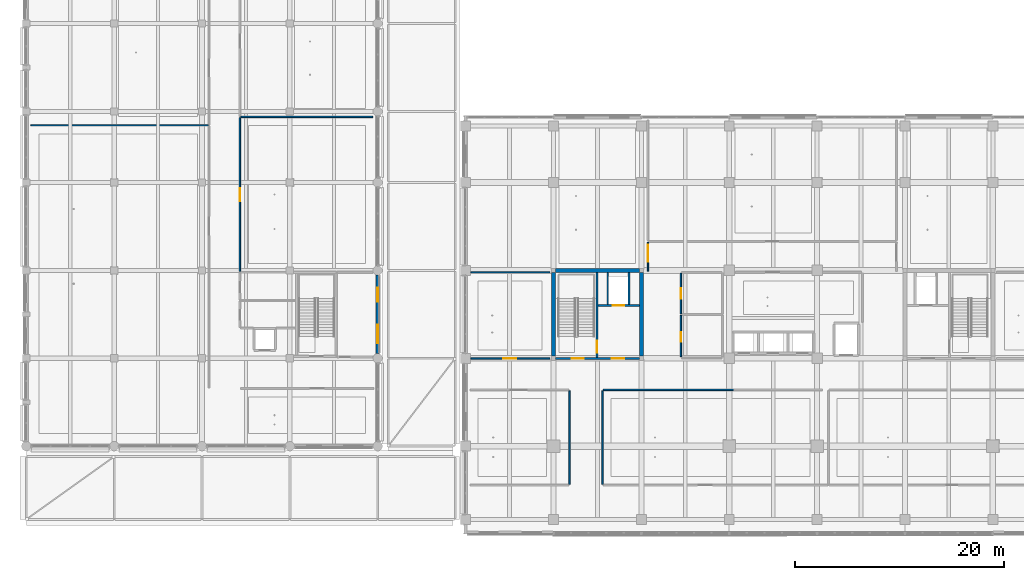
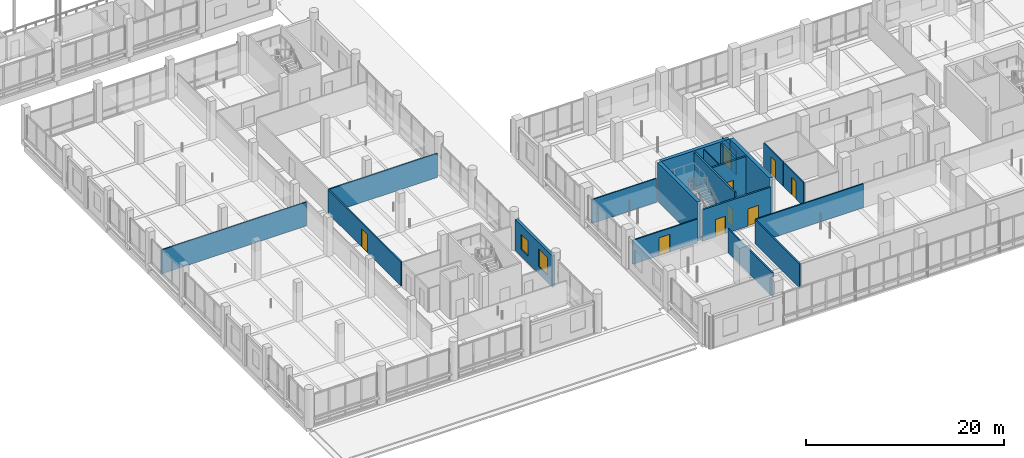
# One storey, part 53 of 128: 20 walls, 9 doors, 2 windows, 11 openings.
"""IFC4 building model written with IfcOpenShell, lengths in metres."""

from ifc_helpers import new_model, si_unit, direction, frame, frame_2d, origin, place, context, subcontext, project, spatial, rectangle, extrude, material, layer, layer_set, type_object, element, fill, save


model = new_model("IFC4")

# Units and contexts
model_context = context("Model", 3, precision=1e-05, world=origin(), true_north=direction((0.0, 1.0)))
body_context = subcontext(model_context, "Body", "Model", "MODEL_VIEW")
ifc_project = project(units=[si_unit("LENGTHUNIT", "METRE"), si_unit("AREAUNIT", "SQUARE_METRE"), si_unit("VOLUMEUNIT", "CUBIC_METRE"), si_unit("PLANEANGLEUNIT", "RADIAN"), si_unit("MASSUNIT", "GRAM", prefix="KILO")], contexts=[model_context])

# Site, building, storey
site_placement = place(None, origin())
site = spatial("IfcSite", under=ifc_project, at=site_placement, CompositionType="ELEMENT")
building_placement = place(site_placement, origin())
building = spatial("IfcBuilding", under=site, at=building_placement, Name="Telukmera Botanical Conservatory", CompositionType="ELEMENT")
storey_placement = place(building_placement, frame((0.0, 0.0, 5.39990234375)))
storey = spatial("IfcBuildingStorey", under=building, at=storey_placement, Name="L01", CompositionType="ELEMENT", Elevation=5.39990234375)

# Wall, openings, windows
ifc_material_1 = material(Name="Terracotta-faced precast concrete C40/50", Category="masonry")
ifc_layer_1 = layer(ifc_material_1, 0.300048828125)
ifc_layer_set_1 = layer_set([ifc_layer_1], Name="Terracotta-faced precast concrete C40/50")
wall_type_1 = type_object("IfcWallType", Name="Exterior Polychrome Terracotta Precast Wall 300", PredefinedType="SOLIDWALL", material=ifc_layer_set_1)
wall_1_placement = place(storey_placement, frame((42.0, 26.451904296875, 0.0), z_axis=(0.0, 0.0, 1.0), x_axis=(0.0, 1.0, 0.0)))
wall_1 = element("IfcWall", 1, at=wall_1_placement, inside=storey, type_object=wall_type_1, Name="Exterior Precast Wall EW02 V3:L01:E2", PredefinedType="SOLIDWALL", context=body_context, shape_type="SweptSolid", body=[
    extrude(rectangle(XDim=7.49609375, YDim=0.300048828125, at=frame_2d((3.748046875, 0.0))), origin(), (0.0, 0.0, 1.0), 3.85009765625),
])
opening_1_placement = place(wall_1_placement, frame((0.9990234375, 0.0, 0.89990234375)))
opening_1 = element("IfcOpeningElement", 2, at=opening_1_placement, cuts=wall_1, Name="Opening W08", PredefinedType="OPENING", context=body_context, shape_type="SweptSolid", body=[
    extrude(rectangle(XDim=1.75, YDim=2.199951171875, at=frame_2d((0.875, 1.10009765625))), frame((0.0, 0.159912109375, 0.0), z_axis=(0.0, -1.0, 0.0), x_axis=(1.0, 0.0, 0.0)), (0.0, 0.0, 1.0), 0.320068359375),
])
opening_2_placement = place(wall_1_placement, frame((4.947021484375, 0.0, 0.89990234375)))
opening_2 = element("IfcOpeningElement", 3, at=opening_2_placement, cuts=wall_1, Name="Opening W05", PredefinedType="OPENING", context=body_context, shape_type="SweptSolid", body=[
    extrude(rectangle(XDim=1.35009765625, YDim=1.85009765625, at=frame_2d((0.675048828125, 0.925048828125))), frame((0.0, 0.159912109375, 0.0), z_axis=(0.0, -1.0, 0.0), x_axis=(1.0, 0.0, 0.0)), (0.0, 0.0, 1.0), 0.320068359375),
])
ifc_material_2 = material(Name="Thermally broken anodised aluminium frame with low-E double glazing", Category="aluminium")
window_type_1 = type_object("IfcWindowType", Name="Double Vertical Casement Classroom Window 1350x1850", PartitioningType="DOUBLE_PANEL_VERTICAL", PredefinedType="WINDOW", material=ifc_material_2)
window_1_placement = place(opening_2_placement, origin())
window_1 = element("IfcWindow", 4, at=window_1_placement, inside=storey, type_object=window_type_1, Name="Facade Window W05 V3:L01:E2 2", OverallHeight=1.85009765625, OverallWidth=1.35009765625, PartitioningType="DOUBLE_PANEL_VERTICAL", PredefinedType="WINDOW", context=body_context, shape_type="SweptSolid", body=[
    extrude(rectangle(XDim=1.35009765625, YDim=1.85009765625, at=frame_2d((0.675048828125, 0.925048828125))), frame((0.0, 0.030029296875, 0.0), z_axis=(0.0, -1.0, 0.0), x_axis=(1.0, 0.0, 0.0)), (0.0, 0.0, 1.0), 0.06005859375),
])
fill(opening_2, window_1)
window_type_2 = type_object("IfcWindowType", Name="Double Vertical Library Reading Window 1750x2200", PartitioningType="DOUBLE_PANEL_VERTICAL", PredefinedType="WINDOW", material=ifc_material_2)
window_2_placement = place(opening_1_placement, origin())
window_2 = element("IfcWindow", 5, at=window_2_placement, inside=storey, type_object=window_type_2, Name="Facade Window W08 V3:L01:E2 1", OverallHeight=2.199951171875, OverallWidth=1.75, PartitioningType="DOUBLE_PANEL_VERTICAL", PredefinedType="WINDOW", context=body_context, shape_type="SweptSolid", body=[
    extrude(rectangle(XDim=1.75, YDim=2.199951171875, at=frame_2d((0.875, 1.10009765625))), frame((0.0, 0.030029296875, 0.0), z_axis=(0.0, -1.0, 0.0), x_axis=(1.0, 0.0, 0.0)), (0.0, 0.0, 1.0), 0.06005859375),
])
fill(opening_1, window_2)

# Wall, openings, doors
ifc_material_3 = material(Name="Concrete C40/50", Category="concrete")
ifc_layer_2 = layer(ifc_material_3, 0.199951171875)
ifc_layer_set_2 = layer_set([ifc_layer_2], Name="Concrete C40/50")
wall_type_2 = type_object("IfcWallType", Name="WT-CORE-200", PredefinedType="SOLIDWALL", material=ifc_layer_set_2)
wall_2_placement = place(storey_placement, frame((59.0, 26.0, 0.0), z_axis=(0.0, 0.0, 1.0), x_axis=(1.0, 0.0, 0.0)))
wall_2 = element("IfcWall", 6, at=wall_2_placement, inside=storey, type_object=wall_type_2, Name="L01 Core C1 South Fire Wall", PredefinedType="SOLIDWALL", context=body_context, shape_type="SweptSolid", body=[
    extrude(rectangle(XDim=8.0, YDim=0.199951171875, at=frame_2d((4.0, 0.0))), origin(), (0.0, 0.0, 1.0), 3.880126953125),
])
opening_3_placement = place(wall_2_placement, frame((1.550048828125, 0.0, 0.0)))
opening_3 = element("IfcOpeningElement", 7, at=opening_3_placement, cuts=wall_2, Name="Opening FD60A", PredefinedType="OPENING", context=body_context, shape_type="SweptSolid", body=[
    extrude(rectangle(XDim=1.14990234375, YDim=2.14990234375, at=frame_2d((0.574951171875, 1.074951171875))), frame((0.0, 0.10986328125, 0.0), z_axis=(0.0, -1.0, 0.0), x_axis=(1.0, 0.0, 0.0)), (0.0, 0.0, 1.0), 0.219970703125),
])
opening_4_placement = place(wall_2_placement, frame((5.35009765625, 0.0, 0.0)))
opening_4 = element("IfcOpeningElement", 8, at=opening_4_placement, cuts=wall_2, Name="Opening FD60C", PredefinedType="OPENING", context=body_context, shape_type="SweptSolid", body=[
    extrude(rectangle(XDim=1.219970703125, YDim=2.14990234375, at=frame_2d((0.60986328125, 1.074951171875))), frame((0.0, 0.10986328125, 0.0), z_axis=(0.0, -1.0, 0.0), x_axis=(1.0, 0.0, 0.0)), (0.0, 0.0, 1.0), 0.219970703125),
])
ifc_material_4 = material(Name="Hardwood fire door", Category="wood")
door_type_1 = type_object("IfcDoorType", Name="DT-FD60-01", OperationType="NOTDEFINED", PredefinedType="DOOR", material=ifc_material_4)
door_1_placement = place(opening_3_placement, origin())
door_1 = element("IfcDoor", 9, at=door_1_placement, inside=storey, type_object=door_type_1, Name="L01 Stair ST1 Escape Door", OperationType="SINGLE_SWING_RIGHT", OverallHeight=2.14990234375, OverallWidth=1.14990234375, PredefinedType="DOOR", context=body_context, shape_type="SweptSolid", body=[
    extrude(rectangle(XDim=1.14990234375, YDim=2.14990234375, at=frame_2d((0.574951171875, 1.074951171875))), frame((0.0, 0.02490234375, 0.0), z_axis=(0.0, -1.0, 0.0), x_axis=(1.0, 0.0, 0.0)), (0.0, 0.0, 1.0), 0.050048828125),
])
fill(opening_3, door_1)
door_type_2 = type_object("IfcDoorType", Name="DT-FD60-03", OperationType="NOTDEFINED", PredefinedType="DOOR", material=ifc_material_4)
door_2_placement = place(opening_4_placement, origin())
door_2 = element("IfcDoor", 10, at=door_2_placement, inside=storey, type_object=door_type_2, Name="L01 Firefighting Lobby C1 Door", OperationType="SINGLE_SWING_LEFT", OverallHeight=2.14990234375, OverallWidth=1.219970703125, PredefinedType="DOOR", context=body_context, shape_type="SweptSolid", body=[
    extrude(rectangle(XDim=1.219970703125, YDim=2.14990234375, at=frame_2d((0.60986328125, 1.074951171875))), frame((0.0, 0.02490234375, 0.0), z_axis=(0.0, -1.0, 0.0), x_axis=(1.0, 0.0, 0.0)), (0.0, 0.0, 1.0), 0.050048828125),
])
fill(opening_4, door_2)

# Wall, opening, door
wall_3_placement = place(storey_placement, frame((62.949951171875, 26.10009765625, 0.0), z_axis=(0.0, 0.0, 1.0), x_axis=(0.0, 1.0, 0.0)))
wall_3 = element("IfcWall", 11, at=wall_3_placement, inside=storey, type_object=wall_type_2, Name="L01 Core C1 Stair-Lobby Wall", PredefinedType="SOLIDWALL", context=body_context, shape_type="SweptSolid", body=[
    extrude(rectangle(XDim=8.099853515625, YDim=0.199951171875, at=frame_2d((4.0498046875, 0.0))), origin(), (0.0, 0.0, 1.0), 4.580078125),
])
opening_5_placement = place(wall_3_placement, frame((0.449951171875, 0.0, 0.0)))
opening_5 = element("IfcOpeningElement", 12, at=opening_5_placement, cuts=wall_3, Name="Opening FD60B", PredefinedType="OPENING", context=body_context, shape_type="SweptSolid", body=[
    extrude(rectangle(XDim=1.1201171875, YDim=2.14990234375, at=frame_2d((0.56005859375, 1.074951171875))), frame((0.0, 0.10986328125, 0.0), z_axis=(0.0, -1.0, 0.0), x_axis=(1.0, 0.0, 0.0)), (0.0, 0.0, 1.0), 0.219970703125),
])
door_type_3 = type_object("IfcDoorType", Name="DT-FD60-02", OperationType="NOTDEFINED", PredefinedType="DOOR", material=ifc_material_4)
door_3_placement = place(opening_5_placement, origin())
door_3 = element("IfcDoor", 13, at=door_3_placement, inside=storey, type_object=door_type_3, Name="L01 Firefighting Lobby C1 to ST1 Door", OperationType="SINGLE_SWING_RIGHT", OverallHeight=2.14990234375, OverallWidth=1.1201171875, PredefinedType="DOOR", context=body_context, shape_type="SweptSolid", body=[
    extrude(rectangle(XDim=1.1201171875, YDim=2.14990234375, at=frame_2d((0.56005859375, 1.074951171875))), frame((0.0, 0.02490234375, 0.0), z_axis=(0.0, -1.0, 0.0), x_axis=(1.0, 0.0, 0.0)), (0.0, 0.0, 1.0), 0.050048828125),
])
fill(opening_5, door_3)

wall_4_placement = place(storey_placement, frame((63.050048828125, 31.050048828125, 0.0), z_axis=(0.0, 0.0, 1.0), x_axis=(1.0, 0.0, 0.0)))
wall_4 = element("IfcWall", 14, at=wall_4_placement, inside=storey, type_object=wall_type_2, Name="L01 Fire Lift FL1 Shaft Front Wall", PredefinedType="SOLIDWALL", context=body_context, shape_type="SweptSolid", body=[
    extrude(rectangle(XDim=3.949951171875, YDim=0.199951171875, at=frame_2d((1.97509765625, 0.0))), origin(), (0.0, 0.0, 1.0), 4.580078125),
])
opening_6_placement = place(wall_4_placement, frame((1.39990234375, 0.0, 0.0)))
opening_6 = element("IfcOpeningElement", 15, at=opening_6_placement, cuts=wall_4, Name="Opening LD01", PredefinedType="OPENING", context=body_context, shape_type="SweptSolid", body=[
    extrude(rectangle(XDim=1.10009765625, YDim=2.14990234375, at=frame_2d((0.550048828125, 1.074951171875))), frame((0.0, 0.10986328125, 0.0), z_axis=(0.0, -1.0, 0.0), x_axis=(1.0, 0.0, 0.0)), (0.0, 0.0, 1.0), 0.219970703125),
])
ifc_material_5 = material(Name="Stainless steel 316", Category="steel")
door_type_4 = type_object("IfcDoorType", Name="DT-LD01", OperationType="SLIDING_TO_LEFT", PredefinedType="DOOR", material=ifc_material_5)
door_4_placement = place(opening_6_placement, frame((1.10009765625, 0.0, 0.0), z_axis=(0.0, 0.0, 1.0), x_axis=(-1.0, 0.0, 0.0)))
door_4 = element("IfcDoor", 16, at=door_4_placement, inside=storey, type_object=door_type_4, Name="L01 Lift Landing Door FL1", OperationType="SLIDING_TO_LEFT", OverallHeight=2.14990234375, OverallWidth=1.10009765625, PredefinedType="DOOR", context=body_context, shape_type="SweptSolid", body=[
    extrude(rectangle(XDim=1.10009765625, YDim=2.14990234375, at=frame_2d((0.550048828125, 1.074951171875))), frame((0.0, 0.02490234375, 0.0), z_axis=(0.0, -1.0, 0.0), x_axis=(1.0, 0.0, 0.0)), (0.0, 0.0, 1.0), 0.050048828125),
])
fill(opening_6, door_4)

# Walls
wall_5_placement = place(storey_placement, frame((66.02001953125, 31.14990234375, 0.0), z_axis=(0.0, 0.0, 1.0), x_axis=(0.0, 1.0, 0.0)))
element("IfcWall", 17, at=wall_5_placement, inside=storey, type_object=wall_type_2, Name="L01 Fire Lift FL1 Shaft East Wall", PredefinedType="SOLIDWALL", context=body_context, shape_type="SweptSolid", body=[
    extrude(rectangle(XDim=3.050048828125, YDim=0.199951171875, at=frame_2d((1.52490234375, 0.0))), origin(), (0.0, 0.0, 1.0), 4.580078125),
])
ifc_material_6 = material(Name="Aluminium framed acoustic glass", Category="aluminium")
ifc_layer_3 = layer(ifc_material_6, 0.1201171875)
ifc_layer_set_3 = layer_set([ifc_layer_3], Name="Aluminium framed acoustic glass")
wall_type_3 = type_object("IfcWallType", Name="WT-GLAZ-120", PredefinedType="PARTITIONING", material=ifc_layer_set_3)
wall_6_placement = place(storey_placement, frame((8.85009765625, 48.27490234375, 0.0), z_axis=(0.0, 0.0, 1.0), x_axis=(1.0, 0.0, 0.0)))
element("IfcWall", 18, at=wall_6_placement, inside=storey, type_object=wall_type_3, Name="L01 Interior Partition 16", PredefinedType="PARTITIONING", context=body_context, shape_type="SweptSolid", body=[
    extrude(rectangle(XDim=16.949951171875, YDim=0.1201171875, at=frame_2d((8.47509765625, 0.0))), origin(), (0.0, 0.0, 1.0), 2.9501953125),
])
wall_7_placement = place(storey_placement, frame((50.905029296875, 34.22509765625, 0.0), z_axis=(0.0, 0.0, 1.0), x_axis=(1.0, 0.0, 0.0)))
element("IfcWall", 19, at=wall_7_placement, inside=storey, type_object=wall_type_3, Name="L01 Interior Partition 46", PredefinedType="PARTITIONING", context=body_context, shape_type="SweptSolid", body=[
    extrude(rectangle(XDim=7.544921875, YDim=0.1201171875, at=frame_2d((3.7724609375, 0.0))), origin(), (0.0, 0.0, 1.0), 2.9501953125),
])

# Wall, opening, door
wall_8_placement = place(storey_placement, frame((67.824951171875, 34.300048828125, 0.0), z_axis=(0.0, 0.0, 1.0), x_axis=(0.0, 1.0, 0.0)))
wall_8 = element("IfcWall", 20, at=wall_8_placement, inside=storey, type_object=wall_type_3, Name="L01 Interior Partition 60", PredefinedType="PARTITIONING", context=body_context, shape_type="SweptSolid", body=[
    extrude(rectangle(XDim=2.800048828125, YDim=0.1201171875, at=frame_2d((1.39990234375, 0.0))), origin(), (0.0, 0.0, 1.0), 2.9501953125),
])
opening_7_placement = place(wall_8_placement, frame((0.949951171875, 0.0, 0.0)))
opening_7 = element("IfcOpeningElement", 21, at=opening_7_placement, cuts=wall_8, Name="Opening ID03", PredefinedType="OPENING", context=body_context, shape_type="SweptSolid", body=[
    extrude(rectangle(XDim=1.60009765625, YDim=2.35009765625, at=frame_2d((0.800048828125, 1.175048828125))), frame((0.0, 0.070068359375, 0.0), z_axis=(0.0, -1.0, 0.0), x_axis=(1.0, 0.0, 0.0)), (0.0, 0.0, 1.0), 0.14013671875),
])
ifc_material_7 = material(Name="Anodised aluminium glazed double door", Category="aluminium")
door_type_5 = type_object("IfcDoorType", Name="DT-GAL-160", OperationType="NOTDEFINED", PredefinedType="DOOR", material=ifc_material_7)
door_5_placement = place(opening_7_placement, origin())
door_5 = element("IfcDoor", 22, at=door_5_placement, inside=storey, type_object=door_type_5, Name="L01 Rare Botanical Prints Gallery Door", OperationType="SINGLE_SWING_LEFT", OverallHeight=2.35009765625, OverallWidth=1.60009765625, PredefinedType="DOOR", context=body_context, shape_type="SweptSolid", body=[
    extrude(rectangle(XDim=1.60009765625, YDim=2.35009765625, at=frame_2d((0.800048828125, 1.175048828125))), frame((0.0, 0.02490234375, 0.0), z_axis=(0.0, -1.0, 0.0), x_axis=(1.0, 0.0, 0.0)), (0.0, 0.0, 1.0), 0.050048828125),
])
fill(opening_7, door_5)

# Wall
ifc_material_8 = material(Name="Gypsum shaftwall liner")
ifc_layer_4 = layer(ifc_material_8, 0.110107421875)
ifc_layer_set_4 = layer_set([ifc_layer_4], Name="Gypsum shaftwall liner")
wall_type_4 = type_object("IfcWallType", Name="WT-RISER-110", PredefinedType="PARTITIONING", material=ifc_layer_set_4)
wall_9_placement = place(storey_placement, frame((63.97998046875, 31.14990234375, 0.0), z_axis=(0.0, 0.0, 1.0), x_axis=(0.0, 1.0, 0.0)))
element("IfcWall", 23, at=wall_9_placement, inside=storey, type_object=wall_type_4, Name="L01 Wet Riser C1 Shaft Wall", PredefinedType="PARTITIONING", context=body_context, shape_type="SweptSolid", body=[
    extrude(rectangle(XDim=3.050048828125, YDim=0.110107421875, at=frame_2d((1.52490234375, 0.0))), origin(), (0.0, 0.0, 1.0), 4.580078125),
])

# Wall, opening, door
ifc_material_9 = material(Name="Gypsum acoustic stud partition")
ifc_layer_5 = layer(ifc_material_9, 0.14990234375)
ifc_layer_set_5 = layer_set([ifc_layer_5], Name="Gypsum acoustic stud partition")
wall_type_5 = type_object("IfcWallType", Name="WT-STD-150", PredefinedType="PARTITIONING", material=ifc_layer_set_5)
wall_10_placement = place(storey_placement, frame((28.824951171875, 34.302490234375, 0.0), z_axis=(0.0, 0.0, 1.0), x_axis=(0.0, 1.0, 0.0)))
wall_10 = element("IfcWall", 24, at=wall_10_placement, inside=storey, type_object=wall_type_5, Name="L01 Interior Partition 10", PredefinedType="PARTITIONING", context=body_context, shape_type="SweptSolid", body=[
    extrude(rectangle(XDim=14.697509765625, YDim=0.14990234375, at=frame_2d((7.3486328125, 0.0))), origin(), (0.0, 0.0, 1.0), 2.9501953125),
])
opening_8_placement = place(wall_10_placement, frame((6.728759765625, 0.0, 0.0)))
opening_8 = element("IfcOpeningElement", 25, at=opening_8_placement, cuts=wall_10, Name="Opening ID08", PredefinedType="OPENING", context=body_context, shape_type="SweptSolid", body=[
    extrude(rectangle(XDim=1.239990234375, YDim=2.199951171875, at=frame_2d((0.6201171875, 1.10009765625))), frame((0.0, 0.0849609375, 0.0), z_axis=(0.0, -1.0, 0.0), x_axis=(1.0, 0.0, 0.0)), (0.0, 0.0, 1.0), 0.169921875),
])
ifc_material_10 = material(Name="Solid core hardwood classroom door", Category="wood")
door_type_6 = type_object("IfcDoorType", Name="DT-CLS-124", OperationType="NOTDEFINED", PredefinedType="DOOR", material=ifc_material_10)
door_6_placement = place(opening_8_placement, frame((1.239990234375, 0.0, 0.0), z_axis=(0.0, 0.0, 1.0), x_axis=(-1.0, 0.0, 0.0)))
door_6 = element("IfcDoor", 26, at=door_6_placement, inside=storey, type_object=door_type_6, Name="L01 Education Classroom Door", OperationType="SINGLE_SWING_LEFT", OverallHeight=2.199951171875, OverallWidth=1.239990234375, PredefinedType="DOOR", context=body_context, shape_type="SweptSolid", body=[
    extrude(rectangle(XDim=1.239990234375, YDim=2.199951171875, at=frame_2d((0.6201171875, 1.10009765625))), frame((0.0, 0.02490234375, 0.0), z_axis=(0.0, -1.0, 0.0), x_axis=(1.0, 0.0, 0.0)), (0.0, 0.0, 1.0), 0.050048828125),
])
fill(opening_8, door_6)

# Wall
wall_11_placement = place(storey_placement, frame((28.909912109375, 49.074951171875, 0.0), z_axis=(0.0, 0.0, 1.0), x_axis=(1.0, 0.0, 0.0)))
element("IfcWall", 27, at=wall_11_placement, inside=storey, type_object=wall_type_5, Name="L01 Interior Partition 18", PredefinedType="PARTITIONING", context=body_context, shape_type="SweptSolid", body=[
    extrude(rectangle(XDim=12.610107421875, YDim=0.14990234375, at=frame_2d((6.30517578125, 0.0))), origin(), (0.0, 0.0, 1.0), 2.9501953125),
])

# Wall, opening, door
wall_12_placement = place(storey_placement, frame((50.905029296875, 25.97509765625, 0.0), z_axis=(0.0, 0.0, 1.0), x_axis=(1.0, 0.0, 0.0)))
wall_12 = element("IfcWall", 28, at=wall_12_placement, inside=storey, type_object=wall_type_5, Name="L01 Interior Partition 45", PredefinedType="PARTITIONING", context=body_context, shape_type="SweptSolid", body=[
    extrude(rectangle(XDim=7.544921875, YDim=0.14990234375, at=frame_2d((3.7724609375, 0.0))), origin(), (0.0, 0.0, 1.0), 2.9501953125),
])
opening_9_placement = place(wall_12_placement, frame((3.078125, 0.0, 0.0)))
opening_9 = element("IfcOpeningElement", 29, at=opening_9_placement, cuts=wall_12, Name="Opening ID08", PredefinedType="OPENING", context=body_context, shape_type="SweptSolid", body=[
    extrude(rectangle(XDim=1.239990234375, YDim=2.199951171875, at=frame_2d((0.6201171875, 1.10009765625))), frame((0.0, 0.0849609375, 0.0), z_axis=(0.0, -1.0, 0.0), x_axis=(1.0, 0.0, 0.0)), (0.0, 0.0, 1.0), 0.169921875),
])
door_7_placement = place(opening_9_placement, origin())
door_7 = element("IfcDoor", 30, at=door_7_placement, inside=storey, type_object=door_type_6, Name="L01 Botanical Periodicals Room Door", OperationType="SINGLE_SWING_RIGHT", OverallHeight=2.199951171875, OverallWidth=1.239990234375, PredefinedType="DOOR", context=body_context, shape_type="SweptSolid", body=[
    extrude(rectangle(XDim=1.239990234375, YDim=2.199951171875, at=frame_2d((0.6201171875, 1.10009765625))), frame((0.0, 0.02490234375, 0.0), z_axis=(0.0, -1.0, 0.0), x_axis=(1.0, 0.0, 0.0)), (0.0, 0.0, 1.0), 0.050048828125),
])
fill(opening_9, door_7)

# Walls
wall_13_placement = place(storey_placement, frame((63.550048828125, 22.97509765625, 0.0), z_axis=(0.0, 0.0, 1.0), x_axis=(1.0, 0.0, 0.0)))
element("IfcWall", 31, at=wall_13_placement, inside=storey, type_object=wall_type_5, Name="L01 Interior Partition 52", PredefinedType="PARTITIONING", context=body_context, shape_type="SweptSolid", body=[
    extrude(rectangle(XDim=12.489990234375, YDim=0.14990234375, at=frame_2d((6.2451171875, 0.0))), origin(), (0.0, 0.0, 1.0), 2.9501953125),
])
for number, where, z_axis, x_axis, name in (
    (32, (60.324951171875, 13.949951171875, 0.0), (0.0, 0.0, 1.0), (0.0, 1.0, 0.0), "L01 Interior Partition 54"),
    (33, (63.47509765625, 13.949951171875, 0.0), (0.0, 0.0, 1.0), (0.0, 1.0, 0.0), "L01 Interior Partition 55"),
):
    element("IfcWall", number, at=place(storey_placement, frame(where, z_axis=z_axis, x_axis=x_axis)), inside=storey, type_object=wall_type_5, Name=name, PredefinedType="PARTITIONING", context=body_context, shape_type="SweptSolid", body=[
        extrude(rectangle(XDim=8.93994140625, YDim=0.14990234375, at=frame_2d((4.469970703125, 0.0))), origin(), (0.0, 0.0, 1.0), 2.9501953125),
    ])

# Wall, opening, door
ifc_material_11 = material(Name="Moisture-resistant blockwork", Category="masonry")
ifc_layer_6 = layer(ifc_material_11, 0.135009765625)
ifc_layer_set_6 = layer_set([ifc_layer_6], Name="Moisture-resistant blockwork")
wall_type_6 = type_object("IfcWallType", Name="WT-WC-135", PredefinedType="PARTITIONING", material=ifc_layer_set_6)
wall_14_placement = place(storey_placement, frame((70.97509765625, 26.14990234375, 0.0), z_axis=(0.0, 0.0, 1.0), x_axis=(0.0, 1.0, 0.0)))
wall_14 = element("IfcWall", 34, at=wall_14_placement, inside=storey, type_object=wall_type_6, Name="L01 Interior Partition 37", PredefinedType="PARTITIONING", context=body_context, shape_type="SweptSolid", body=[
    extrude(rectangle(XDim=3.9501953125, YDim=0.135009765625, at=frame_2d((1.97509765625, 0.0))), origin(), (0.0, 0.0, 1.0), 2.9501953125),
])
opening_10_placement = place(wall_14_placement, frame((1.440673828125, 0.0, 0.0)))
opening_10 = element("IfcOpeningElement", 35, at=opening_10_placement, cuts=wall_14, Name="Opening ID17", PredefinedType="OPENING", context=body_context, shape_type="SweptSolid", body=[
    extrude(rectangle(XDim=0.919921875, YDim=2.1201171875, at=frame_2d((0.4599609375, 1.06005859375))), frame((0.0, 0.077392578125, 0.0), z_axis=(0.0, -1.0, 0.0), x_axis=(1.0, 0.0, 0.0)), (0.0, 0.0, 1.0), 0.155029296875),
])
ifc_material_12 = material(Name="Moisture-resistant laminate WC door")
door_type_7 = type_object("IfcDoorType", Name="DT-WC-092", OperationType="NOTDEFINED", PredefinedType="DOOR", material=ifc_material_12)
door_8_placement = place(opening_10_placement, origin())
door_8 = element("IfcDoor", 36, at=door_8_placement, inside=storey, type_object=door_type_7, Name="L01 Public WC Door", OperationType="SINGLE_SWING_LEFT", OverallHeight=2.1201171875, OverallWidth=0.919921875, PredefinedType="DOOR", context=body_context, shape_type="SweptSolid", body=[
    extrude(rectangle(XDim=0.919921875, YDim=2.1201171875, at=frame_2d((0.4599609375, 1.06005859375))), frame((0.0, 0.02490234375, 0.0), z_axis=(0.0, -1.0, 0.0), x_axis=(1.0, 0.0, 0.0)), (0.0, 0.0, 1.0), 0.050048828125),
])
fill(opening_10, door_8)

wall_15_placement = place(storey_placement, frame((70.97509765625, 30.25, 0.0), z_axis=(0.0, 0.0, 1.0), x_axis=(0.0, 1.0, 0.0)))
wall_15 = element("IfcWall", 37, at=wall_15_placement, inside=storey, type_object=wall_type_6, Name="L01 Interior Partition 38", PredefinedType="PARTITIONING", context=body_context, shape_type="SweptSolid", body=[
    extrude(rectangle(XDim=3.89990234375, YDim=0.135009765625, at=frame_2d((1.949951171875, 0.0))), origin(), (0.0, 0.0, 1.0), 2.9501953125),
])
opening_11_placement = place(wall_15_placement, frame((1.4599609375, 0.0, 0.0)))
opening_11 = element("IfcOpeningElement", 38, at=opening_11_placement, cuts=wall_15, Name="Opening ID15", PredefinedType="OPENING", context=body_context, shape_type="SweptSolid", body=[
    extrude(rectangle(XDim=0.97998046875, YDim=2.14990234375, at=frame_2d((0.489990234375, 1.074951171875))), frame((0.0, 0.077392578125, 0.0), z_axis=(0.0, -1.0, 0.0), x_axis=(1.0, 0.0, 0.0)), (0.0, 0.0, 1.0), 0.155029296875),
])
ifc_material_13 = material(Name="Accessible sanitary laminate door")
door_type_8 = type_object("IfcDoorType", Name="DT-OKU-098", OperationType="NOTDEFINED", PredefinedType="DOOR", material=ifc_material_13)
door_9_placement = place(opening_11_placement, origin())
door_9 = element("IfcDoor", 39, at=door_9_placement, inside=storey, type_object=door_type_8, Name="L01 Accessible WC Door", OperationType="SINGLE_SWING_RIGHT", OverallHeight=2.14990234375, OverallWidth=0.97998046875, PredefinedType="DOOR", context=body_context, shape_type="SweptSolid", body=[
    extrude(rectangle(XDim=0.97998046875, YDim=2.14990234375, at=frame_2d((0.489990234375, 1.074951171875))), frame((0.0, 0.02490234375, 0.0), z_axis=(0.0, -1.0, 0.0), x_axis=(1.0, 0.0, 0.0)), (0.0, 0.0, 1.0), 0.050048828125),
])
fill(opening_11, door_9)

# Walls
ifc_material_14 = material(Name="Concrete C50/60", Category="concrete")
ifc_layer_7 = layer(ifc_material_14, 0.39990234375)
ifc_layer_set_7 = layer_set([ifc_layer_7], Name="Concrete C50/60")
wall_type_7 = type_object("IfcWallType", Name="Wall_CW1", PredefinedType="SHEAR", material=ifc_layer_set_7)
for number, where, z_axis, x_axis, name in (
    (40, (58.800048828125, 26.199951171875, 0.0), (0.0, 0.0, 1.0), (0.0, 1.0, 0.0), "Core C1 Shear Wall West L01"),
    (41, (67.199951171875, 26.199951171875, 0.0), (0.0, 0.0, 1.0), (0.0, 1.0, 0.0), "Core C1 Shear Wall East L01"),
    (42, (59.0, 34.39990234375, 0.0), (0.0, 0.0, 1.0), (1.0, 0.0, 0.0), "Core C1 Shear Wall North L01"),
):
    element("IfcWall", number, at=place(storey_placement, frame(where, z_axis=z_axis, x_axis=x_axis)), inside=storey, type_object=wall_type_7, Name=name, PredefinedType="SHEAR", context=body_context, shape_type="SweptSolid", body=[
        extrude(rectangle(XDim=8.0, YDim=0.39990234375, at=frame_2d((4.0, 0.0))), origin(), (0.0, 0.0, 1.0), 4.800048828125),
    ])

save(model, "model.ifc")
